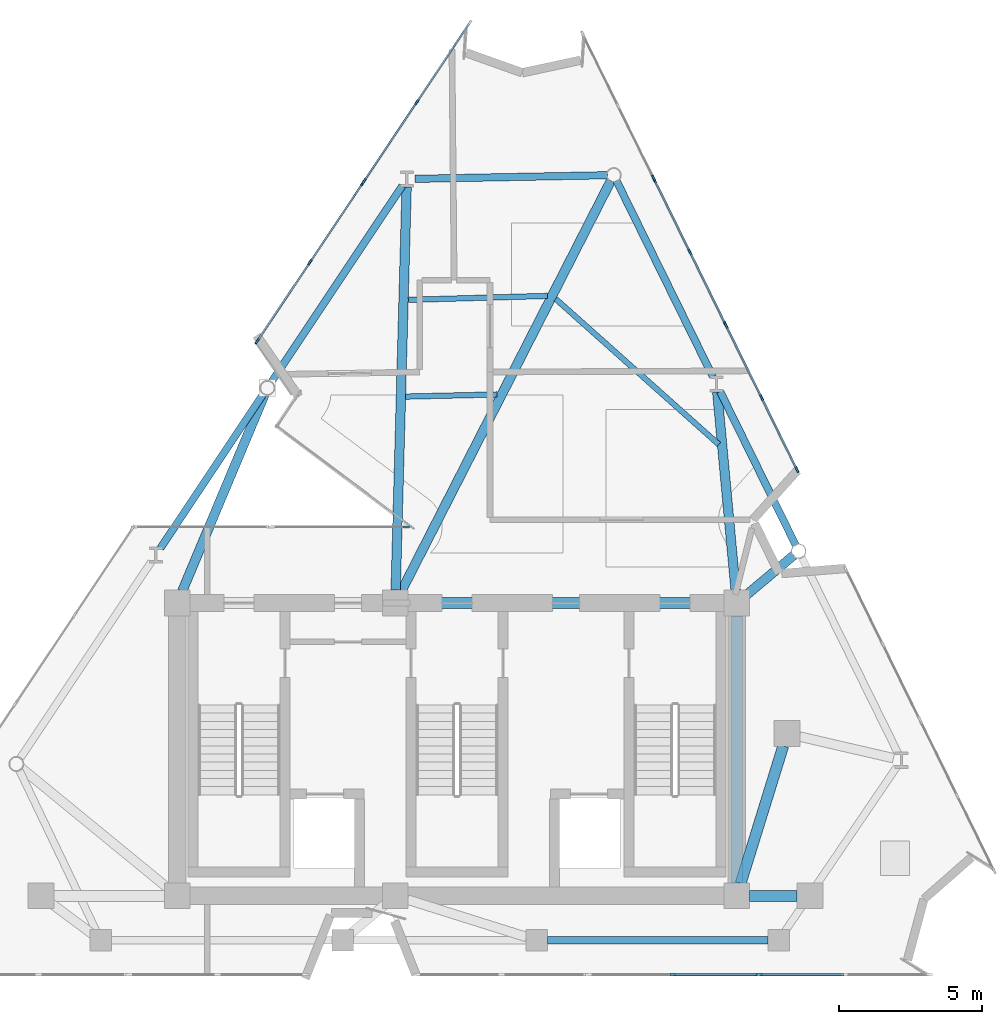
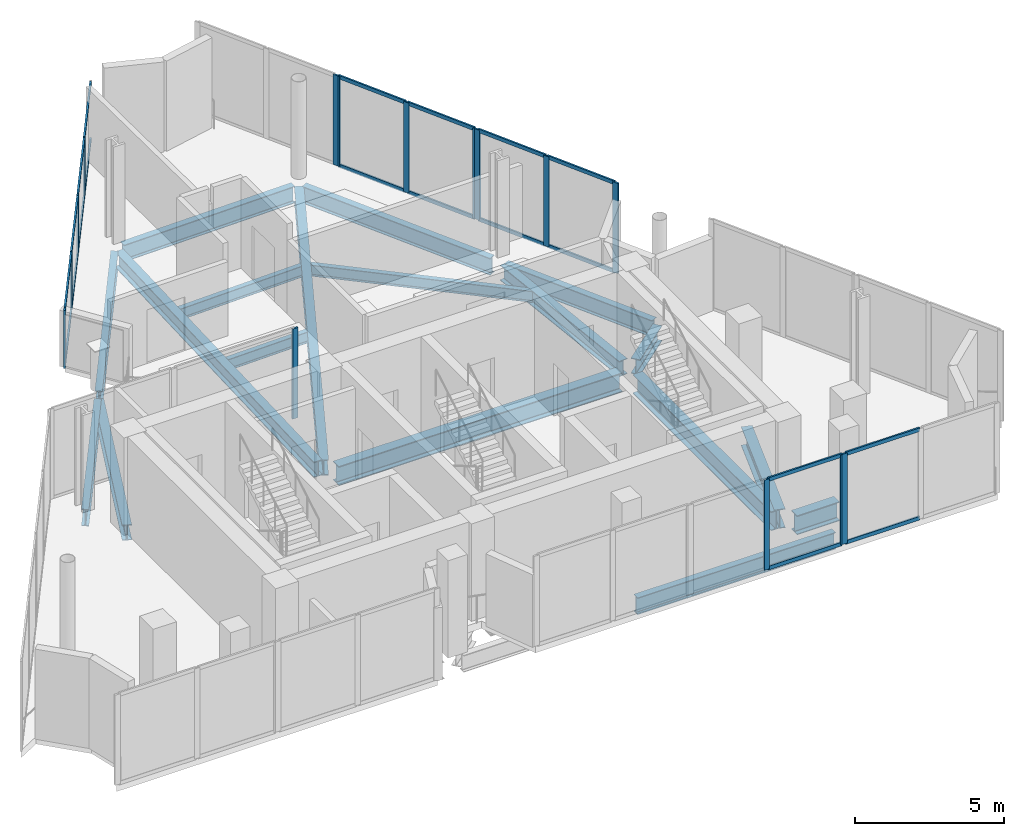
# One storey, part 3 of 9: 36 members, 18 beams, 8 elements without a shape of their own.
"""IFC4 building model written with IfcOpenShell, lengths in metres."""

from ifc_helpers import new_model, si_unit, direction, frame, origin, origin_2d, place, context, subcontext, project, spatial, rectangle, i_section, extrude, material, layer, layer_set, material_profile, profile_set, type_object, element, aggregate, save


model = new_model("IFC4")

# Units and contexts
model_context = context("Model", 3, precision=1e-05, world=origin(), true_north=direction((0.0, 1.0)))
body_context = subcontext(model_context, "Body", "Model", "MODEL_VIEW")
ifc_project = project(units=[si_unit("LENGTHUNIT", "METRE"), si_unit("AREAUNIT", "SQUARE_METRE"), si_unit("VOLUMEUNIT", "CUBIC_METRE"), si_unit("PLANEANGLEUNIT", "RADIAN"), si_unit("MASSUNIT", "GRAM", prefix="KILO")], contexts=[model_context])

# Site, building, storey
site_placement = place(None, origin())
site = spatial("IfcSite", under=ifc_project, at=site_placement, CompositionType="ELEMENT")
building_placement = place(site_placement, origin())
building = spatial("IfcBuilding", under=site, at=building_placement, Name="Almagre Mirador Tower", CompositionType="ELEMENT")
storey_placement = place(building_placement, frame((0.0, 0.0, 314.5)))
storey = spatial("IfcBuildingStorey", under=building, at=storey_placement, Name="L81", CompositionType="ELEMENT", Elevation=314.5)

# Beams
ifc_material_1 = material(Name="Steel ASTM A992 Grade 50", Category="steel")
ifc_material_profile_1 = material_profile(ifc_material_1, i_section(OverallWidth=0.19091796875, OverallDepth=0.4599609375, WebThickness=0.010009765625, FlangeThickness=0.01611328125, FilletRadius=0.01611328125, at=origin_2d()), Name="W18X55")
ifc_profile_set_1 = profile_set([ifc_material_profile_1], Name="Steel ASTM A992 Grade 50")
beam_type_1 = type_object("IfcBeamType", Name="BM-JST-W18X55", PredefinedType="JOIST", material=ifc_profile_set_1)
beam_1_placement = place(storey_placement, frame((46.423828125, 20.27587890625, -0.530029296875), z_axis=(-0.746221866145, 0.665697323479, 0.0), x_axis=(-0.665697323479, -0.746221866145, 0.0)))
element("IfcBeam", 1, at=beam_1_placement, inside=storey, type_object=beam_type_1, Name="L81 secondary floor joist PC07-PC08.1", PredefinedType="JOIST", context=body_context, shape_type="SweptSolid", body=[
    extrude(i_section(OverallWidth=0.19091796875, OverallDepth=0.4599609375, WebThickness=0.010009765625, FlangeThickness=0.01611328125, FilletRadius=0.01611328125, at=origin_2d()), origin(), (0.0, 0.0, 1.0), 7.619140625),
])
beam_2_placement = place(storey_placement, frame((40.4501953125, 25.452880859375, -0.530029296875), z_axis=(-0.999591141536, -0.028592827134, 0.0), x_axis=(0.028592827134, -0.999591141536, 0.0)))
element("IfcBeam", 2, at=beam_2_placement, inside=storey, type_object=beam_type_1, Name="L81 secondary floor joist PC08-PC09.1", PredefinedType="JOIST", context=body_context, shape_type="SweptSolid", body=[
    extrude(i_section(OverallWidth=0.19091796875, OverallDepth=0.4599609375, WebThickness=0.010009765625, FlangeThickness=0.01611328125, FilletRadius=0.01611328125, at=origin_2d()), origin(), (0.0, 0.0, 1.0), 4.849853515625),
])
beam_3_placement = place(storey_placement, frame((38.69677734375, 22.018310546875, -0.530029296875), z_axis=(-0.999725244584, -0.02344003715, 0.0), x_axis=(0.02344003715, -0.999725244584, 0.0)))
element("IfcBeam", 3, at=beam_3_placement, inside=storey, type_object=beam_type_1, Name="L81 secondary floor joist PC08-PC09.2", PredefinedType="JOIST", context=body_context, shape_type="SweptSolid", body=[
    extrude(i_section(OverallWidth=0.19091796875, OverallDepth=0.4599609375, WebThickness=0.010009765625, FlangeThickness=0.01611328125, FilletRadius=0.01611328125, at=origin_2d()), origin(), (0.0, 0.0, 1.0), 3.187255859375),
])
ifc_material_2 = material(Name="Steel ASTM A992 Grade 50", Category="steel")
ifc_material_profile_2 = material_profile(ifc_material_2, i_section(OverallWidth=0.256103515625, OverallDepth=0.693115234375, WebThickness=0.014404296875, FlangeThickness=0.023681640625, FilletRadius=0.02197265625, at=origin_2d()), Name="W27X114")
ifc_profile_set_2 = profile_set([ifc_material_profile_2], Name="Steel ASTM A992 Grade 50")
beam_type_2 = type_object("IfcBeamType", Name="BM-SPN-W27X114", PredefinedType="SPANDREL", material=ifc_profile_set_2)
beam_4_placement = place(storey_placement, frame((40.450927734375, 3.0, -0.646484375), z_axis=(1.0, 0.0, 0.0), x_axis=(0.0, 1.0, 0.0)))
element("IfcBeam", 4, at=beam_4_placement, inside=storey, type_object=beam_type_2, Name="L81 perimeter spandrel beam PC03-PC04", PredefinedType="SPANDREL", context=body_context, shape_type="SweptSolid", body=[
    extrude(i_section(OverallWidth=0.256103515625, OverallDepth=0.693115234375, WebThickness=0.014404296875, FlangeThickness=0.023681640625, FilletRadius=0.02197265625, at=origin_2d()), origin(), (0.0, 0.0, 1.0), 7.690185546875),
])
beam_5_placement = place(storey_placement, frame((49.10791015625, 16.75537109375, -0.646484375), z_axis=(-0.441280885173, 0.897369032439, 0.0), x_axis=(-0.897369032439, -0.441280885173, 0.0)))
element("IfcBeam", 5, at=beam_5_placement, inside=storey, type_object=beam_type_2, Name="L81 perimeter spandrel beam PC06-PC07", PredefinedType="SPANDREL", context=body_context, shape_type="SweptSolid", body=[
    extrude(i_section(OverallWidth=0.256103515625, OverallDepth=0.693115234375, WebThickness=0.014404296875, FlangeThickness=0.023681640625, FilletRadius=0.02197265625, at=origin_2d()), origin(), (0.0, 0.0, 1.0), 5.985107421875),
])
beam_6_placement = place(storey_placement, frame((46.215087890625, 22.6376953125, -0.646484375), z_axis=(-0.441260346392, 0.897379132085, 0.0), x_axis=(-0.897379132085, -0.441260346392, 0.0)))
element("IfcBeam", 6, at=beam_6_placement, inside=storey, type_object=beam_type_2, Name="L81 perimeter spandrel beam PC07-PC08", PredefinedType="SPANDREL", context=body_context, shape_type="SweptSolid", body=[
    extrude(i_section(OverallWidth=0.256103515625, OverallDepth=0.693115234375, WebThickness=0.014404296875, FlangeThickness=0.023681640625, FilletRadius=0.02197265625, at=origin_2d()), origin(), (0.0, 0.0, 1.0), 7.607666015625),
])
beam_7_placement = place(storey_placement, frame((42.541015625, 29.657958984375, -0.646484375), z_axis=(-0.999822125959, -0.018860446513, 0.0), x_axis=(0.018860446513, -0.999822125959, 0.0)))
element("IfcBeam", 7, at=beam_7_placement, inside=storey, type_object=beam_type_2, Name="L81 perimeter spandrel beam PC08-PC09", PredefinedType="SPANDREL", context=body_context, shape_type="SweptSolid", body=[
    extrude(i_section(OverallWidth=0.256103515625, OverallDepth=0.693115234375, WebThickness=0.014404296875, FlangeThickness=0.023681640625, FilletRadius=0.02197265625, at=origin_2d()), origin(), (0.0, 0.0, 1.0), 6.705322265625),
])
beam_8_placement = place(storey_placement, frame((35.393798828125, 29.2890625, -0.646484375), z_axis=(-0.555219210279, -0.831704051052, 0.0), x_axis=(0.831704051052, -0.555219210279, 0.0)))
element("IfcBeam", 8, at=beam_8_placement, inside=storey, type_object=beam_type_2, Name="L81 perimeter spandrel beam PC09-PC10", PredefinedType="SPANDREL", context=body_context, shape_type="SweptSolid", body=[
    extrude(i_section(OverallWidth=0.256103515625, OverallDepth=0.693115234375, WebThickness=0.014404296875, FlangeThickness=0.023681640625, FilletRadius=0.02197265625, at=origin_2d()), origin(), (0.0, 0.0, 1.0), 8.248291015625),
])
beam_9_placement = place(storey_placement, frame((30.56982421875, 22.06298828125, -0.646484375), z_axis=(-0.555229008561, -0.831697509947, 0.0), x_axis=(0.831697509947, -0.555229008561, 0.0)))
element("IfcBeam", 9, at=beam_9_placement, inside=storey, type_object=beam_type_2, Name="L81 perimeter spandrel beam PC10-PC11", PredefinedType="SPANDREL", context=body_context, shape_type="SweptSolid", body=[
    extrude(i_section(OverallWidth=0.256103515625, OverallDepth=0.693115234375, WebThickness=0.014404296875, FlangeThickness=0.023681640625, FilletRadius=0.02197265625, at=origin_2d()), origin(), (0.0, 0.0, 1.0), 6.49755859375),
])
ifc_material_3 = material(Name="Steel ASTM A992 Grade 50", Category="steel")
ifc_material_profile_3 = material_profile(ifc_material_3, i_section(OverallWidth=0.330078125, OverallDepth=0.635009765625, WebThickness=0.017822265625, FlangeThickness=0.031005859375, FilletRadius=0.02001953125, at=origin_2d()), Name="W24X162")
ifc_profile_set_3 = profile_set([ifc_material_profile_3], Name="Steel ASTM A992 Grade 50")
beam_type_3 = type_object("IfcBeamType", Name="BM-STL-W24X162", PredefinedType="BEAM", material=ifc_profile_set_3)
beam_10_placement = place(storey_placement, frame((49.03662109375, 16.41650390625, -0.617431640625), z_axis=(-0.766153543196, -0.642657566865, 0.0), x_axis=(0.642657566865, -0.766153543196, 0.0)))
element("IfcBeam", 10, at=beam_10_placement, inside=storey, type_object=beam_type_3, Name="L81 radial floor girder PC06-CC6", PredefinedType="BEAM", context=body_context, shape_type="SweptSolid", body=[
    extrude(i_section(OverallWidth=0.330078125, OverallDepth=0.635009765625, WebThickness=0.017822265625, FlangeThickness=0.031005859375, FilletRadius=0.02001953125, at=origin_2d()), origin(), (0.0, 0.0, 1.0), 2.14306640625),
])
beam_11_placement = place(storey_placement, frame((46.367431640625, 22.09814453125, -0.617431640625), z_axis=(0.092479594249, -0.995714579911, 0.0), x_axis=(0.995714579911, 0.092479594249, 0.0)))
element("IfcBeam", 11, at=beam_11_placement, inside=storey, type_object=beam_type_3, Name="L81 radial floor girder PC07-CC6", PredefinedType="BEAM", context=body_context, shape_type="SweptSolid", body=[
    extrude(i_section(OverallWidth=0.330078125, OverallDepth=0.635009765625, WebThickness=0.017822265625, FlangeThickness=0.031005859375, FilletRadius=0.02001953125, at=origin_2d()), origin(), (0.0, 0.0, 1.0), 6.929931640625),
])
beam_12_placement = place(storey_placement, frame((42.660888671875, 29.466064453125, -0.617431640625), z_axis=(-0.454605133062, -0.890693085745, 0.0), x_axis=(0.890693085745, -0.454605133062, 0.0)))
element("IfcBeam", 12, at=beam_12_placement, inside=storey, type_object=beam_type_3, Name="L81 radial floor girder PC08-CC5", PredefinedType="BEAM", context=body_context, shape_type="SweptSolid", body=[
    extrude(i_section(OverallWidth=0.330078125, OverallDepth=0.635009765625, WebThickness=0.017822265625, FlangeThickness=0.031005859375, FilletRadius=0.02001953125, at=origin_2d()), origin(), (0.0, 0.0, 1.0), 16.072021484375),
])
beam_13_placement = place(storey_placement, frame((35.544189453125, 29.2412109375, -0.617431640625), z_axis=(-0.027200697889, -0.999629992564, 0.0), x_axis=(0.999629992564, -0.027200697889, 0.0)))
element("IfcBeam", 13, at=beam_13_placement, inside=storey, type_object=beam_type_3, Name="L81 radial floor girder PC09-CC5", PredefinedType="BEAM", context=body_context, shape_type="SweptSolid", body=[
    extrude(i_section(OverallWidth=0.330078125, OverallDepth=0.635009765625, WebThickness=0.017822265625, FlangeThickness=0.031005859375, FilletRadius=0.02001953125, at=origin_2d()), origin(), (0.0, 0.0, 1.0), 14.046630859375),
])
beam_14_placement = place(storey_placement, frame((30.60693359375, 22.043212890625, -0.617431640625), z_axis=(-0.386546157571, -0.922270062437, 0.0), x_axis=(0.922270062437, -0.386546157571, 0.0)))
element("IfcBeam", 14, at=beam_14_placement, inside=storey, type_object=beam_type_3, Name="L81 radial floor girder PC10-CC4", PredefinedType="BEAM", context=body_context, shape_type="SweptSolid", body=[
    extrude(i_section(OverallWidth=0.330078125, OverallDepth=0.635009765625, WebThickness=0.017822265625, FlangeThickness=0.031005859375, FilletRadius=0.02001953125, at=origin_2d()), origin(), (0.0, 0.0, 1.0), 7.457763671875),
])
ifc_material_4 = material(Name="Steel ASTM A992 Grade 50", Category="steel")
ifc_material_profile_4 = material_profile(ifc_material_4, i_section(OverallWidth=0.384033203125, OverallDepth=0.784912109375, WebThickness=0.019775390625, FlangeThickness=0.033447265625, FilletRadius=0.02392578125, at=origin_2d()), Name="W30X211")
ifc_profile_set_4 = profile_set([ifc_material_profile_4], Name="Steel ASTM A992 Grade 50")
beam_type_4 = type_object("IfcBeamType", Name="BM-STL-W30X211", PredefinedType="BEAM", material=ifc_profile_set_4)
beam_15_placement = place(storey_placement, frame((35.60009765625, 14.75, -0.6923828125), z_axis=(1.0, 0.0, 0.0), x_axis=(0.0, 1.0, 0.0)))
element("IfcBeam", 15, at=beam_15_placement, inside=storey, type_object=beam_type_4, Name="L81 core tie girder CC5-CC6", PredefinedType="BEAM", context=body_context, shape_type="SweptSolid", body=[
    extrude(i_section(OverallWidth=0.384033203125, OverallDepth=0.784912109375, WebThickness=0.019775390625, FlangeThickness=0.033447265625, FilletRadius=0.02392578125, at=origin_2d()), origin(), (0.0, 0.0, 1.0), 11.0),
])
beam_16_placement = place(storey_placement, frame((47.050048828125, 5.0, -0.6923828125), z_axis=(0.0, 1.0, 0.0), x_axis=(-1.0, 0.0, 0.0)))
element("IfcBeam", 16, at=beam_16_placement, inside=storey, type_object=beam_type_4, Name="L81 core tie girder CC3-CC6", PredefinedType="BEAM", context=body_context, shape_type="SweptSolid", body=[
    extrude(i_section(OverallWidth=0.384033203125, OverallDepth=0.784912109375, WebThickness=0.019775390625, FlangeThickness=0.033447265625, FilletRadius=0.02392578125, at=origin_2d()), origin(), (0.0, 0.0, 1.0), 9.300048828125),
])
beam_17_placement = place(storey_placement, frame((49.14990234375, 4.550048828125, -0.6923828125), z_axis=(-1.0, 0.0, 0.0), x_axis=(0.0, -1.0, 0.0)))
element("IfcBeam", 17, at=beam_17_placement, inside=storey, type_object=beam_type_4, Name="L81 core tie girder MC2-CC3", PredefinedType="BEAM", context=body_context, shape_type="SweptSolid", body=[
    extrude(i_section(OverallWidth=0.384033203125, OverallDepth=0.784912109375, WebThickness=0.019775390625, FlangeThickness=0.033447265625, FilletRadius=0.02392578125, at=origin_2d()), origin(), (0.0, 0.0, 1.0), 1.64990234375),
])
beam_18_placement = place(storey_placement, frame((48.6669921875, 9.77001953125, -0.6923828125), z_axis=(-0.295912212866, -0.955215139263, 0.0), x_axis=(0.955215139263, -0.295912212866, 0.0)))
element("IfcBeam", 18, at=beam_18_placement, inside=storey, type_object=beam_type_4, Name="L81 core tie girder MC3-CC3", PredefinedType="BEAM", context=body_context, shape_type="SweptSolid", body=[
    extrude(i_section(OverallWidth=0.384033203125, OverallDepth=0.784912109375, WebThickness=0.019775390625, FlangeThickness=0.033447265625, FilletRadius=0.02392578125, at=origin_2d()), origin(), (0.0, 0.0, 1.0), 5.0146484375),
])

# Curtain wall, member
ifc_material_5 = material(Name="Black anodized aluminium", Category="aluminium")
ifc_layer = layer(ifc_material_5, 0.2099609375)
ifc_layer_set = layer_set([ifc_layer], Name="Black anodized aluminium")
curtain_wall_type = type_object("IfcCurtainWallType", Name="CW-CRN-SYS", PredefinedType="NOTDEFINED", material=ifc_layer_set)
curtain_wall_1_placement = place(storey_placement, origin())
curtain_wall_1 = element("IfcCurtainWall", 19, at=curtain_wall_1_placement, inside=storey, type_object=curtain_wall_type, Name="L81 curtain wall run 04", PredefinedType="NOTDEFINED")
ifc_material_6 = material(Name="Black anodized aluminium", Category="aluminium")
ifc_material_profile_5 = material_profile(ifc_material_6, rectangle(XDim=0.070068359375, YDim=0.2099609375, at=origin_2d()), Name="CWM70X210")
ifc_profile_set_5 = profile_set([ifc_material_profile_5], Name="Black anodized aluminium")
member_type_1 = type_object("IfcMemberType", Name="MBR-CWM70X210", PredefinedType="MULLION", material=ifc_profile_set_5)
member_1_placement = place(storey_placement, frame((35.534912109375, 17.39990234375, 0.0), z_axis=(0.0, 0.0, 1.0), x_axis=(0.0, 1.0, 0.0)))
member_1 = element("IfcMember", 20, at=member_1_placement, type_object=member_type_1, Name="CW-6 mullion 2", PredefinedType="MULLION", context=body_context, shape_type="SweptSolid", body=[
    extrude(rectangle(XDim=0.070068359375, YDim=0.2099609375, at=origin_2d()), origin(), (0.0, 0.0, 1.0), 3.699951171875),
])
aggregate(curtain_wall_1, [member_1])

# Curtain wall, members
curtain_wall_2_placement = place(storey_placement, origin())
curtain_wall_2 = element("IfcCurtainWall", 21, at=curtain_wall_2_placement, inside=storey, type_object=curtain_wall_type, Name="L81 curtain wall run 05", PredefinedType="NOTDEFINED")
member_2_placement = place(storey_placement, frame((30.3359375, 23.872802734375, 0.0), z_axis=(0.0, 0.0, 1.0), x_axis=(-0.831708016345, 0.555213270328, 0.0)))
member_2 = element("IfcMember", 22, at=member_2_placement, type_object=member_type_1, Name="CW-6 mullion 1", PredefinedType="MULLION", context=body_context, shape_type="SweptSolid", body=[
    extrude(rectangle(XDim=0.070068359375, YDim=0.2099609375, at=origin_2d()), origin(), (0.0, 0.0, 1.0), 2.3798828125),
])
member_3_placement = place(storey_placement, frame((32.176513671875, 26.630126953125, 0.0), z_axis=(0.0, 0.0, 1.0), x_axis=(-0.831708016345, 0.555213270328, 0.0)))
member_3 = element("IfcMember", 23, at=member_3_placement, type_object=member_type_1, Name="CW-6 mullion 2", PredefinedType="MULLION", context=body_context, shape_type="SweptSolid", body=[
    extrude(rectangle(XDim=0.070068359375, YDim=0.2099609375, at=origin_2d()), origin(), (0.0, 0.0, 1.0), 2.3798828125),
])
member_4_placement = place(storey_placement, frame((34.01708984375, 29.387451171875, 0.0), z_axis=(0.0, 0.0, 1.0), x_axis=(-0.831708016345, 0.555213270328, 0.0)))
member_4 = element("IfcMember", 24, at=member_4_placement, type_object=member_type_1, Name="CW-6 mullion 3", PredefinedType="MULLION", context=body_context, shape_type="SweptSolid", body=[
    extrude(rectangle(XDim=0.070068359375, YDim=0.2099609375, at=origin_2d()), origin(), (0.0, 0.0, 1.0), 2.3798828125),
])

curtain_wall_3_placement = place(storey_placement, origin())
curtain_wall_3 = element("IfcCurtainWall", 25, at=curtain_wall_3_placement, inside=storey, type_object=curtain_wall_type, Name="L81 curtain wall run 06", PredefinedType="NOTDEFINED")
member_5_placement = place(storey_placement, frame((34.055908203125, 29.445556640625, 0.0), z_axis=(0.0, 0.0, 1.0), x_axis=(-0.831708016345, 0.555213270328, 0.0)))
member_5 = element("IfcMember", 26, at=member_5_placement, type_object=member_type_1, Name="CW-6 mullion 1", PredefinedType="MULLION", context=body_context, shape_type="SweptSolid", body=[
    extrude(rectangle(XDim=0.070068359375, YDim=0.2099609375, at=origin_2d()), origin(), (0.0, 0.0, 1.0), 2.3798828125),
])
member_6_placement = place(storey_placement, frame((35.896484375, 32.202880859375, 0.0), z_axis=(0.0, 0.0, 1.0), x_axis=(-0.831708016345, 0.555213270328, 0.0)))
member_6 = element("IfcMember", 27, at=member_6_placement, type_object=member_type_1, Name="CW-6 mullion 2", PredefinedType="MULLION", context=body_context, shape_type="SweptSolid", body=[
    extrude(rectangle(XDim=0.070068359375, YDim=0.2099609375, at=origin_2d()), origin(), (0.0, 0.0, 1.0), 2.3798828125),
])

# Curtain wall, member
curtain_wall_4_placement = place(storey_placement, origin())
curtain_wall_4 = element("IfcCurtainWall", 28, at=curtain_wall_4_placement, inside=storey, type_object=curtain_wall_type, Name="L81 curtain wall run 07", PredefinedType="NOTDEFINED")
member_7_placement = place(storey_placement, frame((44.148193359375, 29.56103515625, 0.0), z_axis=(0.0, 0.0, 1.0), x_axis=(0.897374500891, 0.441269764601, 0.0)))
member_7 = element("IfcMember", 29, at=member_7_placement, type_object=member_type_1, Name="CW-6 mullion 3", PredefinedType="MULLION", context=body_context, shape_type="SweptSolid", body=[
    extrude(rectangle(XDim=0.070068359375, YDim=0.2099609375, at=origin_2d()), origin(), (0.0, 0.0, 1.0), 3.699951171875),
])
aggregate(curtain_wall_4, [member_7])

# Curtain wall, members
curtain_wall_5_placement = place(storey_placement, origin())
curtain_wall_5 = element("IfcCurtainWall", 30, at=curtain_wall_5_placement, inside=storey, type_object=curtain_wall_type, Name="L81 curtain wall run 08", PredefinedType="NOTDEFINED")
member_8_placement = place(storey_placement, frame((44.17919921875, 29.498291015625, 0.0), z_axis=(0.0, 0.0, 1.0), x_axis=(0.897374500891, 0.441269764601, 0.0)))
member_8 = element("IfcMember", 31, at=member_8_placement, type_object=member_type_1, Name="CW-6 mullion 1", PredefinedType="MULLION", context=body_context, shape_type="SweptSolid", body=[
    extrude(rectangle(XDim=0.070068359375, YDim=0.2099609375, at=origin_2d()), origin(), (0.0, 0.0, 1.0), 3.699951171875),
])
member_9_placement = place(storey_placement, frame((45.4130859375, 26.989013671875, 0.0), z_axis=(0.0, 0.0, 1.0), x_axis=(0.897374500891, 0.441269764601, 0.0)))
member_9 = element("IfcMember", 32, at=member_9_placement, type_object=member_type_1, Name="CW-6 mullion 2", PredefinedType="MULLION", context=body_context, shape_type="SweptSolid", body=[
    extrude(rectangle(XDim=0.070068359375, YDim=0.2099609375, at=origin_2d()), origin(), (0.0, 0.0, 1.0), 3.699951171875),
])
member_10_placement = place(storey_placement, frame((46.64697265625, 24.479736328125, 0.0), z_axis=(0.0, 0.0, 1.0), x_axis=(0.897374500891, 0.441269764601, 0.0)))
member_10 = element("IfcMember", 33, at=member_10_placement, type_object=member_type_1, Name="CW-6 mullion 3", PredefinedType="MULLION", context=body_context, shape_type="SweptSolid", body=[
    extrude(rectangle(XDim=0.070068359375, YDim=0.2099609375, at=origin_2d()), origin(), (0.0, 0.0, 1.0), 3.699951171875),
])

curtain_wall_6_placement = place(storey_placement, origin())
curtain_wall_6 = element("IfcCurtainWall", 34, at=curtain_wall_6_placement, inside=storey, type_object=curtain_wall_type, Name="L81 curtain wall run 09", PredefinedType="NOTDEFINED")
member_11_placement = place(storey_placement, frame((46.677734375, 24.4169921875, 0.0), z_axis=(0.0, 0.0, 1.0), x_axis=(0.897374500891, 0.441269764601, 0.0)))
member_11 = element("IfcMember", 35, at=member_11_placement, type_object=member_type_1, Name="CW-6 mullion 1", PredefinedType="MULLION", context=body_context, shape_type="SweptSolid", body=[
    extrude(rectangle(XDim=0.070068359375, YDim=0.2099609375, at=origin_2d()), origin(), (0.0, 0.0, 1.0), 3.699951171875),
])
member_12_placement = place(storey_placement, frame((47.91162109375, 21.90771484375, 0.0), z_axis=(0.0, 0.0, 1.0), x_axis=(0.897374500891, 0.441269764601, 0.0)))
member_12 = element("IfcMember", 36, at=member_12_placement, type_object=member_type_1, Name="CW-6 mullion 2", PredefinedType="MULLION", context=body_context, shape_type="SweptSolid", body=[
    extrude(rectangle(XDim=0.070068359375, YDim=0.2099609375, at=origin_2d()), origin(), (0.0, 0.0, 1.0), 3.699951171875),
])
member_13_placement = place(storey_placement, frame((49.1455078125, 19.398681640625, 0.0), z_axis=(0.0, 0.0, 1.0), x_axis=(0.897374500891, 0.441269764601, 0.0)))
member_13 = element("IfcMember", 37, at=member_13_placement, type_object=member_type_1, Name="CW-6 mullion 3", PredefinedType="MULLION", context=body_context, shape_type="SweptSolid", body=[
    extrude(rectangle(XDim=0.070068359375, YDim=0.2099609375, at=origin_2d()), origin(), (0.0, 0.0, 1.0), 3.699951171875),
])

# Curtain wall, member
curtain_wall_7_placement = place(storey_placement, origin())
curtain_wall_7 = element("IfcCurtainWall", 38, at=curtain_wall_7_placement, inside=storey, type_object=curtain_wall_type, Name="L81 curtain wall run 12", PredefinedType="NOTDEFINED")
member_14_placement = place(storey_placement, frame((47.856201171875, 1.800048828125, 0.0), z_axis=(0.0, 0.0, 1.0), x_axis=(0.0, -1.0, 0.0)))
member_14 = element("IfcMember", 39, at=member_14_placement, type_object=member_type_1, Name="CW-6 mullion 3", PredefinedType="MULLION", context=body_context, shape_type="SweptSolid", body=[
    extrude(rectangle(XDim=0.070068359375, YDim=0.2099609375, at=origin_2d()), origin(), (0.0, 0.0, 1.0), 3.699951171875),
])

# Curtain wall, members
curtain_wall_8_placement = place(storey_placement, origin())
curtain_wall_8 = element("IfcCurtainWall", 40, at=curtain_wall_8_placement, inside=storey, type_object=curtain_wall_type, Name="L81 curtain wall run 13", PredefinedType="NOTDEFINED")
member_15_placement = place(storey_placement, frame((47.786376953125, 1.800048828125, 0.0), z_axis=(0.0, 0.0, 1.0), x_axis=(0.0, -1.0, 0.0)))
member_15 = element("IfcMember", 41, at=member_15_placement, type_object=member_type_1, Name="CW-6 mullion 1", PredefinedType="MULLION", context=body_context, shape_type="SweptSolid", body=[
    extrude(rectangle(XDim=0.070068359375, YDim=0.2099609375, at=origin_2d()), origin(), (0.0, 0.0, 1.0), 3.699951171875),
])
member_16_placement = place(storey_placement, frame((44.83203125, 1.800048828125, 0.0), z_axis=(0.0, 0.0, 1.0), x_axis=(0.0, -1.0, 0.0)))
member_16 = element("IfcMember", 42, at=member_16_placement, type_object=member_type_1, Name="CW-6 mullion 2", PredefinedType="MULLION", context=body_context, shape_type="SweptSolid", body=[
    extrude(rectangle(XDim=0.070068359375, YDim=0.2099609375, at=origin_2d()), origin(), (0.0, 0.0, 1.0), 3.699951171875),
])

# Member
ifc_material_7 = material(Name="Black anodized aluminium", Category="aluminium")
ifc_material_profile_6 = material_profile(ifc_material_7, rectangle(XDim=0.06494140625, YDim=0.14990234375, at=origin_2d()), Name="CWT65X150")
ifc_profile_set_6 = profile_set([ifc_material_profile_6], Name="Black anodized aluminium")
member_type_2 = type_object("IfcMemberType", Name="MBR-CWT65X150", PredefinedType="USERDEFINED", material=ifc_profile_set_6)
member_17_placement = place(storey_placement, frame((30.355224609375, 23.902099609375, 0.032470703125), z_axis=(0.555220932699, 0.831702901217, 0.0), x_axis=(-0.831702901217, 0.555220932699, 0.0)))
member_17 = element("IfcMember", 43, at=member_17_placement, type_object=member_type_2, Name="CW-6 transom 1.1", ObjectType="TRANSOM", PredefinedType="USERDEFINED", context=body_context, shape_type="SweptSolid", body=[
    extrude(rectangle(XDim=0.06494140625, YDim=0.14990234375, at=origin_2d()), origin(), (0.0, 0.0, 1.0), 3.2451171875),
])

member_18_placement = place(storey_placement, frame((30.355224609375, 23.902099609375, 2.347412109375), z_axis=(0.555220932699, 0.831702901217, 0.0), x_axis=(-0.831702901217, 0.555220932699, 0.0)))
member_18 = element("IfcMember", 44, at=member_18_placement, type_object=member_type_2, Name="CW-6 transom 1.2", ObjectType="TRANSOM", PredefinedType="USERDEFINED", context=body_context, shape_type="SweptSolid", body=[
    extrude(rectangle(XDim=0.06494140625, YDim=0.14990234375, at=origin_2d()), origin(), (0.0, 0.0, 1.0), 3.2451171875),
])

member_19_placement = place(storey_placement, frame((32.19580078125, 26.6591796875, 0.032470703125), z_axis=(0.555186193292, 0.831726091197, 0.0), x_axis=(-0.831726091197, 0.555186193292, 0.0)))
member_19 = element("IfcMember", 45, at=member_19_placement, type_object=member_type_2, Name="CW-6 transom 2.1", ObjectType="TRANSOM", PredefinedType="USERDEFINED", context=body_context, shape_type="SweptSolid", body=[
    extrude(rectangle(XDim=0.06494140625, YDim=0.14990234375, at=origin_2d()), origin(), (0.0, 0.0, 1.0), 3.245361328125),
])

member_20_placement = place(storey_placement, frame((32.19580078125, 26.6591796875, 2.347412109375), z_axis=(0.555186193292, 0.831726091197, 0.0), x_axis=(-0.831726091197, 0.555186193292, 0.0)))
member_20 = element("IfcMember", 46, at=member_20_placement, type_object=member_type_2, Name="CW-6 transom 2.2", ObjectType="TRANSOM", PredefinedType="USERDEFINED", context=body_context, shape_type="SweptSolid", body=[
    extrude(rectangle(XDim=0.06494140625, YDim=0.14990234375, at=origin_2d()), origin(), (0.0, 0.0, 1.0), 3.245361328125),
])

aggregate(curtain_wall_2, [member_2, member_3, member_4, member_17, member_18, member_19, member_20])

member_21_placement = place(storey_placement, frame((34.075439453125, 29.474609375, 0.032470703125), z_axis=(0.555186193292, 0.831726091197, 0.0), x_axis=(-0.831726091197, 0.555186193292, 0.0)))
member_21 = element("IfcMember", 47, at=member_21_placement, type_object=member_type_2, Name="CW-6 transom 1.1", ObjectType="TRANSOM", PredefinedType="USERDEFINED", context=body_context, shape_type="SweptSolid", body=[
    extrude(rectangle(XDim=0.06494140625, YDim=0.14990234375, at=origin_2d()), origin(), (0.0, 0.0, 1.0), 3.245361328125),
])

member_22_placement = place(storey_placement, frame((34.075439453125, 29.474609375, 2.347412109375), z_axis=(0.555186193292, 0.831726091197, 0.0), x_axis=(-0.831726091197, 0.555186193292, 0.0)))
member_22 = element("IfcMember", 48, at=member_22_placement, type_object=member_type_2, Name="CW-6 transom 1.2", ObjectType="TRANSOM", PredefinedType="USERDEFINED", context=body_context, shape_type="SweptSolid", body=[
    extrude(rectangle(XDim=0.06494140625, YDim=0.14990234375, at=origin_2d()), origin(), (0.0, 0.0, 1.0), 3.245361328125),
])

member_23_placement = place(storey_placement, frame((35.916015625, 32.23193359375, 0.032470703125), z_axis=(0.555220932699, 0.831702901217, 0.0), x_axis=(-0.831702901217, 0.555220932699, 0.0)))
member_23 = element("IfcMember", 49, at=member_23_placement, type_object=member_type_2, Name="CW-6 transom 2.1", ObjectType="TRANSOM", PredefinedType="USERDEFINED", context=body_context, shape_type="SweptSolid", body=[
    extrude(rectangle(XDim=0.06494140625, YDim=0.14990234375, at=origin_2d()), origin(), (0.0, 0.0, 1.0), 3.2451171875),
])

member_24_placement = place(storey_placement, frame((35.916015625, 32.23193359375, 2.347412109375), z_axis=(0.555220932699, 0.831702901217, 0.0), x_axis=(-0.831702901217, 0.555220932699, 0.0)))
member_24 = element("IfcMember", 50, at=member_24_placement, type_object=member_type_2, Name="CW-6 transom 2.2", ObjectType="TRANSOM", PredefinedType="USERDEFINED", context=body_context, shape_type="SweptSolid", body=[
    extrude(rectangle(XDim=0.06494140625, YDim=0.14990234375, at=origin_2d()), origin(), (0.0, 0.0, 1.0), 3.2451171875),
])

aggregate(curtain_wall_3, [member_5, member_6, member_21, member_22, member_23, member_24])

member_25_placement = place(storey_placement, frame((44.194580078125, 29.466796875, 0.032470703125), z_axis=(0.441256996069, -0.897380779502, 0.0), x_axis=(0.897380779502, 0.441256996069, 0.0)))
member_25 = element("IfcMember", 51, at=member_25_placement, type_object=member_type_2, Name="CW-6 transom 1.1", ObjectType="TRANSOM", PredefinedType="USERDEFINED", context=body_context, shape_type="SweptSolid", body=[
    extrude(rectangle(XDim=0.06494140625, YDim=0.14990234375, at=origin_2d()), origin(), (0.0, 0.0, 1.0), 2.72607421875),
])

member_26_placement = place(storey_placement, frame((44.194580078125, 29.466796875, 3.66748046875), z_axis=(0.441256996069, -0.897380779502, 0.0), x_axis=(0.897380779502, 0.441256996069, 0.0)))
member_26 = element("IfcMember", 52, at=member_26_placement, type_object=member_type_2, Name="CW-6 transom 1.2", ObjectType="TRANSOM", PredefinedType="USERDEFINED", context=body_context, shape_type="SweptSolid", body=[
    extrude(rectangle(XDim=0.06494140625, YDim=0.14990234375, at=origin_2d()), origin(), (0.0, 0.0, 1.0), 2.72607421875),
])

member_27_placement = place(storey_placement, frame((45.428466796875, 26.95751953125, 0.032470703125), z_axis=(0.441256996069, -0.897380779502, 0.0), x_axis=(0.897380779502, 0.441256996069, 0.0)))
member_27 = element("IfcMember", 53, at=member_27_placement, type_object=member_type_2, Name="CW-6 transom 2.1", ObjectType="TRANSOM", PredefinedType="USERDEFINED", context=body_context, shape_type="SweptSolid", body=[
    extrude(rectangle(XDim=0.06494140625, YDim=0.14990234375, at=origin_2d()), origin(), (0.0, 0.0, 1.0), 2.72607421875),
])

member_28_placement = place(storey_placement, frame((45.428466796875, 26.95751953125, 3.66748046875), z_axis=(0.441256996069, -0.897380779502, 0.0), x_axis=(0.897380779502, 0.441256996069, 0.0)))
member_28 = element("IfcMember", 54, at=member_28_placement, type_object=member_type_2, Name="CW-6 transom 2.2", ObjectType="TRANSOM", PredefinedType="USERDEFINED", context=body_context, shape_type="SweptSolid", body=[
    extrude(rectangle(XDim=0.06494140625, YDim=0.14990234375, at=origin_2d()), origin(), (0.0, 0.0, 1.0), 2.72607421875),
])

aggregate(curtain_wall_5, [member_8, member_9, member_10, member_25, member_26, member_27, member_28])

member_29_placement = place(storey_placement, frame((46.693115234375, 24.385498046875, 0.032470703125), z_axis=(0.441329112931, -0.897345314848, 0.0), x_axis=(0.897345314848, 0.441329112931, 0.0)))
member_29 = element("IfcMember", 55, at=member_29_placement, type_object=member_type_2, Name="CW-6 transom 1.1", ObjectType="TRANSOM", PredefinedType="USERDEFINED", context=body_context, shape_type="SweptSolid", body=[
    extrude(rectangle(XDim=0.06494140625, YDim=0.14990234375, at=origin_2d()), origin(), (0.0, 0.0, 1.0), 2.72607421875),
])

member_30_placement = place(storey_placement, frame((46.693115234375, 24.385498046875, 3.66748046875), z_axis=(0.441329112931, -0.897345314848, 0.0), x_axis=(0.897345314848, 0.441329112931, 0.0)))
member_30 = element("IfcMember", 56, at=member_30_placement, type_object=member_type_2, Name="CW-6 transom 1.2", ObjectType="TRANSOM", PredefinedType="USERDEFINED", context=body_context, shape_type="SweptSolid", body=[
    extrude(rectangle(XDim=0.06494140625, YDim=0.14990234375, at=origin_2d()), origin(), (0.0, 0.0, 1.0), 2.72607421875),
])

member_31_placement = place(storey_placement, frame((47.927001953125, 21.87646484375, 0.032470703125), z_axis=(0.441293649286, -0.897362755579, 0.0), x_axis=(0.897362755579, 0.441293649286, 0.0)))
member_31 = element("IfcMember", 57, at=member_31_placement, type_object=member_type_2, Name="CW-6 transom 2.1", ObjectType="TRANSOM", PredefinedType="USERDEFINED", context=body_context, shape_type="SweptSolid", body=[
    extrude(rectangle(XDim=0.06494140625, YDim=0.14990234375, at=origin_2d()), origin(), (0.0, 0.0, 1.0), 2.726318359375),
])

member_32_placement = place(storey_placement, frame((47.927001953125, 21.87646484375, 3.66748046875), z_axis=(0.441293649286, -0.897362755579, 0.0), x_axis=(0.897362755579, 0.441293649286, 0.0)))
member_32 = element("IfcMember", 58, at=member_32_placement, type_object=member_type_2, Name="CW-6 transom 2.2", ObjectType="TRANSOM", PredefinedType="USERDEFINED", context=body_context, shape_type="SweptSolid", body=[
    extrude(rectangle(XDim=0.06494140625, YDim=0.14990234375, at=origin_2d()), origin(), (0.0, 0.0, 1.0), 2.726318359375),
])

aggregate(curtain_wall_6, [member_11, member_12, member_13, member_29, member_30, member_31, member_32])

member_33_placement = place(storey_placement, frame((50.775634765625, 1.800048828125, 0.032470703125), z_axis=(-1.0, 0.0, 0.0), x_axis=(0.0, -1.0, 0.0)))
member_33 = element("IfcMember", 59, at=member_33_placement, type_object=member_type_2, Name="CW-6 transom 2.1", ObjectType="TRANSOM", PredefinedType="USERDEFINED", context=body_context, shape_type="SweptSolid", body=[
    extrude(rectangle(XDim=0.06494140625, YDim=0.14990234375, at=origin_2d()), origin(), (0.0, 0.0, 1.0), 2.88427734375),
])

member_34_placement = place(storey_placement, frame((50.775634765625, 1.800048828125, 3.66748046875), z_axis=(-1.0, 0.0, 0.0), x_axis=(0.0, -1.0, 0.0)))
member_34 = element("IfcMember", 60, at=member_34_placement, type_object=member_type_2, Name="CW-6 transom 2.2", ObjectType="TRANSOM", PredefinedType="USERDEFINED", context=body_context, shape_type="SweptSolid", body=[
    extrude(rectangle(XDim=0.06494140625, YDim=0.14990234375, at=origin_2d()), origin(), (0.0, 0.0, 1.0), 2.88427734375),
])

aggregate(curtain_wall_7, [member_14, member_33, member_34])

member_35_placement = place(storey_placement, frame((47.751220703125, 1.800048828125, 0.032470703125), z_axis=(-1.0, 0.0, 0.0), x_axis=(0.0, -1.0, 0.0)))
member_35 = element("IfcMember", 61, at=member_35_placement, type_object=member_type_2, Name="CW-6 transom 1.1", ObjectType="TRANSOM", PredefinedType="USERDEFINED", context=body_context, shape_type="SweptSolid", body=[
    extrude(rectangle(XDim=0.06494140625, YDim=0.14990234375, at=origin_2d()), origin(), (0.0, 0.0, 1.0), 2.88427734375),
])

member_36_placement = place(storey_placement, frame((47.751220703125, 1.800048828125, 3.66748046875), z_axis=(-1.0, 0.0, 0.0), x_axis=(0.0, -1.0, 0.0)))
member_36 = element("IfcMember", 62, at=member_36_placement, type_object=member_type_2, Name="CW-6 transom 1.2", ObjectType="TRANSOM", PredefinedType="USERDEFINED", context=body_context, shape_type="SweptSolid", body=[
    extrude(rectangle(XDim=0.06494140625, YDim=0.14990234375, at=origin_2d()), origin(), (0.0, 0.0, 1.0), 2.88427734375),
])

aggregate(curtain_wall_8, [member_15, member_16, member_35, member_36])

save(model, "model.ifc")
